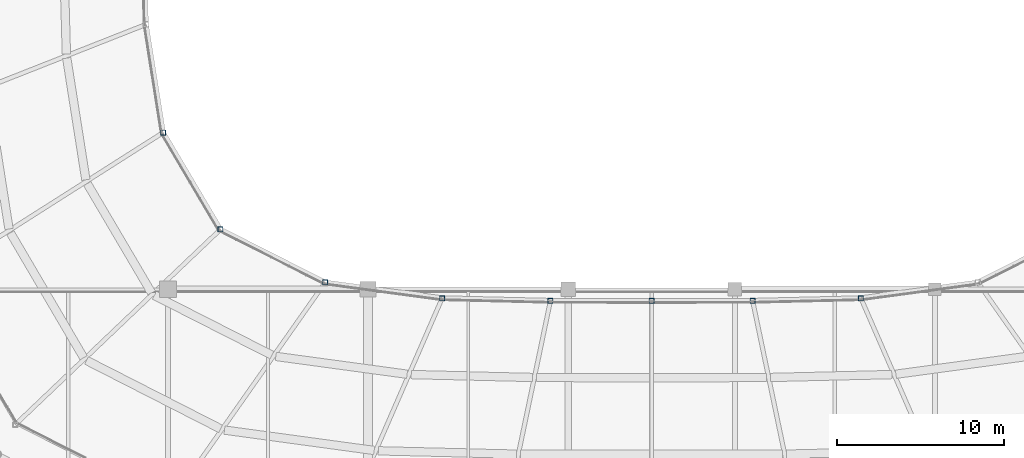
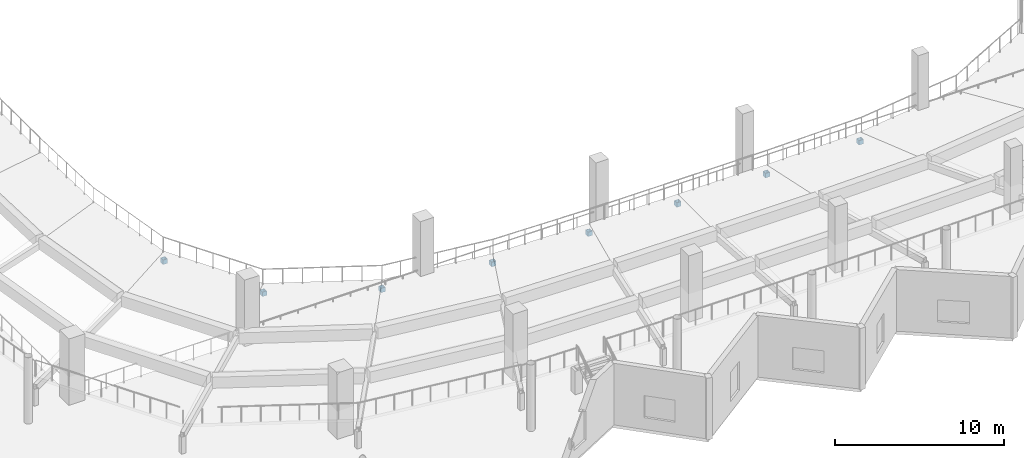
# One storey, part 16 of 77: 8 columns.
"""IFC4 building model written with IfcOpenShell, lengths in metres."""

from ifc_helpers import new_model, si_unit, direction, frame, origin, origin_2d, place, context, subcontext, project, spatial, hollow_rectangle, extrude, material, material_profile, profile_set, type_object, element, save


model = new_model("IFC4")

# Units and contexts
model_context = context("Model", 3, precision=1e-05, world=origin(), true_north=direction((0.0, 1.0)))
body_context = subcontext(model_context, "Body", "Model", "MODEL_VIEW")
ifc_project = project(units=[si_unit("LENGTHUNIT", "METRE"), si_unit("AREAUNIT", "SQUARE_METRE"), si_unit("VOLUMEUNIT", "CUBIC_METRE"), si_unit("PLANEANGLEUNIT", "RADIAN"), si_unit("MASSUNIT", "GRAM", prefix="KILO")], contexts=[model_context])

# Site, building, storey
site_placement = place(None, origin())
site = spatial("IfcSite", under=ifc_project, at=site_placement, CompositionType="ELEMENT")
building_placement = place(site_placement, origin())
building = spatial("IfcBuilding", under=site, at=building_placement, Name="Luwafu Chhajja Arena", CompositionType="ELEMENT")
storey_placement = place(building_placement, frame((0.0, 0.0, 14.699951171875)))
storey = spatial("IfcBuildingStorey", under=building, at=storey_placement, Name="L03", CompositionType="ELEMENT", Elevation=14.699951171875)

# Columns
ifc_material = material(Name="Steel S355", Category="steel")
ifc_material_profile = material_profile(ifc_material, hollow_rectangle(XDim=0.300048828125, YDim=0.300048828125, WallThickness=0.01611328125, at=origin_2d()), Name="SHS 300x300x16")
ifc_profile_set = profile_set([ifc_material_profile], Name="Steel S355")
column_type = type_object("IfcColumnType", Name="Steel Gallery Post SHS 300", PredefinedType="COLUMN", material=ifc_profile_set)
for number, where, z_axis, x_axis, name in (
    (1, (69.701416015625, 31.399658203125, 0.0), (0.0, 0.0, 1.0), (1.0, 0.0, 0.0), "L03 Upper Raker Front Post 20"),
    (2, (73.14013671875, 25.590087890625, 0.0), (0.0, 0.0, 1.0), (1.0, 0.0, 0.0), "L03 Upper Raker Front Post 21"),
    (3, (79.42333984375, 22.410888671875, 0.0), (0.0, 0.0, 1.0), (1.0, 0.0, 0.0), "L03 Upper Raker Front Post 22"),
    (4, (86.439697265625, 21.463134765625, 0.0), (0.0, 0.0, 1.0), (1.0, 0.0, 0.0), "L03 Upper Raker Front Post 23"),
    (5, (92.934814453125, 21.3076171875, 0.0), (0.0, 0.0, 1.0), (1.0, 0.0, 0.0), "L03 Upper Raker Front Post 24"),
    (6, (99.0, 21.300048828125, 0.0), (0.0, 0.0, 1.0), (1.0, 0.0, 0.0), "L03 Upper Raker Front Post 25"),
    (7, (105.065185546875, 21.3076171875, 0.0), (0.0, 0.0, 1.0), (1.0, 0.0, 0.0), "L03 Upper Raker Front Post 26"),
    (8, (111.560302734375, 21.463134765625, 0.0), (0.0, 0.0, 1.0), (1.0, 0.0, 0.0), "L03 Upper Raker Front Post 27"),
):
    element("IfcColumn", number, at=place(storey_placement, frame(where, z_axis=z_axis, x_axis=x_axis)), inside=storey, type_object=column_type, Name=name, PredefinedType="COLUMN", context=body_context, shape_type="SweptSolid", body=[
        extrude(hollow_rectangle(XDim=0.300048828125, YDim=0.300048828125, WallThickness=0.01611328125, at=origin_2d()), origin(), (0.0, 0.0, 1.0), 0.320068359375),
    ])

save(model, "model.ifc")
